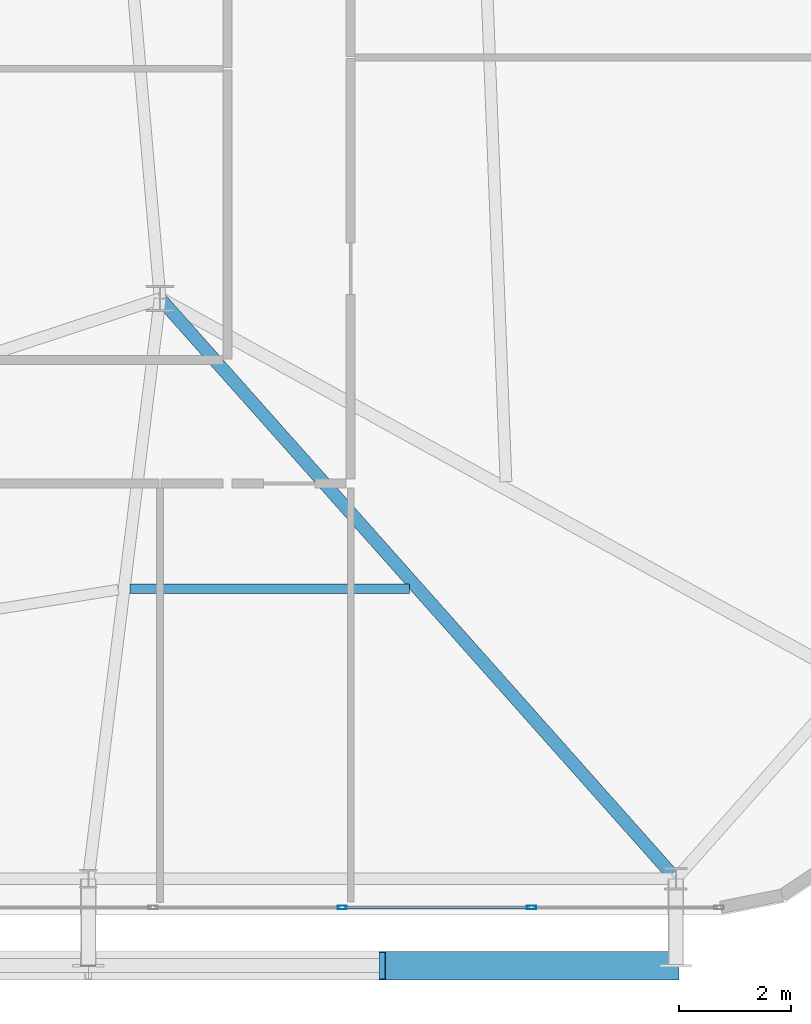
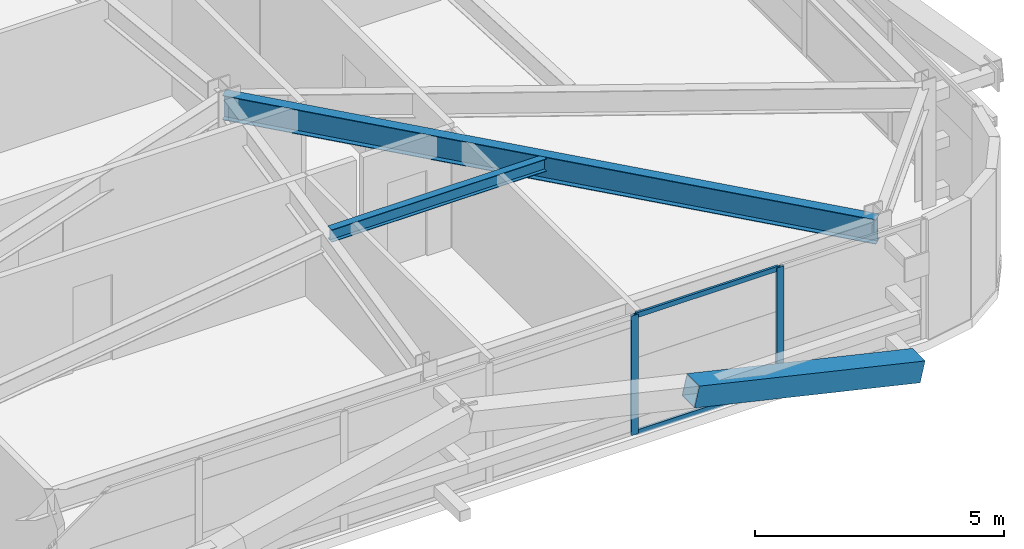
# One storey, part 23 of 59: 5 members, 2 beams, 1 element without a shape of its own.
"""IFC4 building model written with IfcOpenShell, lengths in metres."""

from ifc_helpers import new_model, si_unit, direction, frame, origin, origin_2d, place, context, subcontext, project, spatial, hollow_rectangle, i_section, extrude, source, transform, mapped, material, layer, layer_set, material_profile, profile_set, type_object, element, aggregate, save


model = new_model("IFC4")

# Units and contexts
model_context = context("Model", 3, precision=1e-05, world=origin(), true_north=direction((0.0, 1.0)))
body_context = subcontext(model_context, "Body", "Model", "MODEL_VIEW")
ifc_project = project(units=[si_unit("LENGTHUNIT", "METRE"), si_unit("AREAUNIT", "SQUARE_METRE"), si_unit("VOLUMEUNIT", "CUBIC_METRE"), si_unit("PLANEANGLEUNIT", "RADIAN"), si_unit("MASSUNIT", "GRAM", prefix="KILO")], contexts=[model_context])

# Site, building, storey
site_placement = place(None, origin())
site = spatial("IfcSite", under=ifc_project, at=site_placement, CompositionType="ELEMENT")
building_placement = place(site_placement, origin())
building = spatial("IfcBuilding", under=site, at=building_placement, Name="Taldren Reach Tower", CompositionType="ELEMENT")
storey_placement = place(building_placement, frame((0.0, 0.0, 45.14990234375)))
storey = spatial("IfcBuildingStorey", under=building, at=storey_placement, Name="L13", CompositionType="ELEMENT", Elevation=45.14990234375)

# Beams
ifc_material_1 = material(Name="Steel Gr 350 (350PLUS)", Category="steel")
ifc_material_profile_1 = material_profile(ifc_material_1, i_section(OverallWidth=0.22802734375, OverallDepth=0.60205078125, WebThickness=0.010498046875, FlangeThickness=0.014892578125, at=origin_2d()), Name="610UB101")
ifc_profile_set_1 = profile_set([ifc_material_profile_1], Name="Steel Gr 350 (350PLUS)")
beam_type_1 = type_object("IfcBeamType", Name="BM-UB610B", PredefinedType="BEAM", material=ifc_profile_set_1)
shared_shape_1 = source(origin(), body_context, "Body", "SweptSolid", [
    extrude(i_section(OverallWidth=0.22802734375, OverallDepth=0.60205078125, WebThickness=0.010498046875, FlangeThickness=0.014892578125, at=origin_2d()), origin(), (0.0, 0.0, 1.0), 13.847900390625),
])
beam_1_placement = place(storey_placement, frame((52.0, 12.5, 2.629150390625), z_axis=(0.664358367375, -0.747414182164, 0.0), x_axis=(0.747414182164, 0.664358367375, 0.0)))
element("IfcBeam", 1, at=beam_1_placement, inside=storey, type_object=beam_type_1, Name="Primary floor girder B1-S6 L13", PredefinedType="BEAM", context=body_context, shape_type="MappedRepresentation", body=[
    mapped(shared_shape_1, transform((0.0, 0.0, 0.0), scale=1.0)),
])
ifc_material_2 = material(Name="Steel Gr 300 (300PLUS, 300 MPa)", Category="steel")
ifc_material_profile_2 = material_profile(ifc_material_2, i_section(OverallWidth=0.166015625, OverallDepth=0.306884765625, WebThickness=0.006591796875, FlangeThickness=0.01171875, at=origin_2d()), Name="310UB46.2")
ifc_profile_set_2 = profile_set([ifc_material_profile_2], Name="Steel Gr 300 (300PLUS, 300 MPa)")
beam_type_2 = type_object("IfcBeamType", Name="JS-UB310", PredefinedType="JOIST", material=ifc_profile_set_2)
shared_shape_2 = source(origin(), body_context, "Body", "SweptSolid", [
    extrude(i_section(OverallWidth=0.166015625, OverallDepth=0.306884765625, WebThickness=0.006591796875, FlangeThickness=0.01171875, at=origin_2d()), origin(), (0.0, 0.0, 1.0), 4.982177734375),
])
beam_2_placement = place(storey_placement, frame((51.46533203125, 7.324951171875, 2.776611328125), z_axis=(1.0, 0.0, 0.0), x_axis=(0.0, 1.0, 0.0)))
element("IfcBeam", 2, at=beam_2_placement, inside=storey, type_object=beam_type_2, Name="Secondary floor joist B1 J5 L13", PredefinedType="JOIST", context=body_context, shape_type="MappedRepresentation", body=[
    mapped(shared_shape_2, transform((0.0, 0.0, 0.0), scale=1.0)),
])

# Member
ifc_material_3 = material(Name="Steel Gr 450 (C450L0)", Category="steel")
ifc_material_profile_3 = material_profile(ifc_material_3, hollow_rectangle(XDim=0.510009765625, YDim=0.510009765625, WallThickness=0.02001953125, at=origin_2d()), Name="510x510x20.0SHS")
ifc_profile_set_3 = profile_set([ifc_material_profile_3], Name="Steel Gr 450 (C450L0)")
member_type_1 = type_object("IfcMemberType", Name="MB-EXO508", PredefinedType="BRACE", material=ifc_profile_set_3)
shared_shape_3 = source(origin(), body_context, "Body", "SweptSolid", [
    extrude(hollow_rectangle(XDim=0.510009765625, YDim=0.510009765625, WallThickness=0.02001953125, at=origin_2d()), origin(), (0.0, 0.0, 1.0), 5.37890625),
])
member_1_placement = place(storey_placement, frame((61.199951171875, 0.60009765625, 0.22021484375), z_axis=(-0.974161966843, 0.0, 0.225850531007), x_axis=(0.0, -1.0, 0.0)))
element("IfcMember", 3, at=member_1_placement, inside=storey, type_object=member_type_1, Name="Exoskeleton Diagrid Brace B1-S5 L13", PredefinedType="BRACE", context=body_context, shape_type="MappedRepresentation", body=[
    mapped(shared_shape_3, transform((0.0, 0.0, 0.0), scale=1.0)),
])

# Curtain wall, members
ifc_material_4 = material(Name="Aluminium and Low-E Glass Unitised System", Category="aluminium")
ifc_layer = layer(ifc_material_4, 0.159912109375)
ifc_layer_set = layer_set([ifc_layer], Name="Aluminium and Low-E Glass Unitised System")
curtain_wall_type = type_object("IfcCurtainWallType", Name="CW-SYS-2", PredefinedType="NOTDEFINED", material=ifc_layer_set)
curtain_wall_placement = place(storey_placement, origin())
curtain_wall = element("IfcCurtainWall", 4, at=curtain_wall_placement, inside=storey, type_object=curtain_wall_type, Name="Unitised curtain wall CW-L13-S", PredefinedType="NOTDEFINED")
ifc_material_5 = material(Name="Anodised Aluminium 6063-T6", Category="aluminium")
ifc_material_profile_4 = material_profile(ifc_material_5, hollow_rectangle(XDim=0.054931640625, YDim=0.1201171875, WallThickness=0.0029296875, at=origin_2d()), Name="ALU-120x55x3RHS")
ifc_profile_set_4 = profile_set([ifc_material_profile_4], Name="Anodised Aluminium 6063-T6")
member_type_2 = type_object("IfcMemberType", Name="CW-TRN-135", PredefinedType="USERDEFINED", material=ifc_profile_set_4)
shared_shape_4 = source(origin(), body_context, "Body", "SweptSolid", [
    extrude(hollow_rectangle(XDim=0.054931640625, YDim=0.1201171875, WallThickness=0.0029296875, at=origin_2d()), origin(), (0.0, 0.0, 1.0), 3.31005859375),
])
member_2_placement = place(storey_placement, frame((55.282470703125, 1.639892578125, 0.027587890625), z_axis=(1.0, 0.0, 0.0), x_axis=(0.0, 1.0, 0.0)))
member_2 = element("IfcMember", 5, at=member_2_placement, type_object=member_type_2, Name="CW-2 transom 15.1", ObjectType="TRANSOM", PredefinedType="USERDEFINED", context=body_context, shape_type="MappedRepresentation", body=[
    mapped(shared_shape_4, transform((0.0, 0.0, 0.0), scale=1.0)),
])
member_3_placement = place(storey_placement, frame((55.282470703125, 1.639892578125, 2.902587890625), z_axis=(1.0, 0.0, 0.0), x_axis=(0.0, 1.0, 0.0)))
member_3 = element("IfcMember", 6, at=member_3_placement, type_object=member_type_2, Name="CW-2 transom 15.2", ObjectType="TRANSOM", PredefinedType="USERDEFINED", context=body_context, shape_type="MappedRepresentation", body=[
    mapped(shared_shape_4, transform((0.0, 0.0, 0.0), scale=1.0)),
])
ifc_material_profile_5 = material_profile(ifc_material_5, hollow_rectangle(XDim=0.06494140625, YDim=0.1650390625, WallThickness=0.00390625, at=origin_2d()), Name="ALU-165x65x4RHS")
ifc_profile_set_5 = profile_set([ifc_material_profile_5], Name="Anodised Aluminium 6063-T6")
member_type_3 = type_object("IfcMemberType", Name="CW-MUL-165", PredefinedType="MULLION", material=ifc_profile_set_5)
shared_shape_5 = source(origin(), body_context, "Body", "SweptSolid", [
    extrude(hollow_rectangle(XDim=0.06494140625, YDim=0.1650390625, WallThickness=0.00390625, at=origin_2d()), origin(), (0.0, 0.0, 1.0), 2.93017578125),
])
member_4_placement = place(storey_placement, frame((55.25, 1.639892578125, 0.0), z_axis=(0.0, 0.0, 1.0), x_axis=(0.0, 1.0, 0.0)))
member_4 = element("IfcMember", 7, at=member_4_placement, type_object=member_type_3, Name="CW-2 mullion 15", PredefinedType="MULLION", context=body_context, shape_type="MappedRepresentation", body=[
    mapped(shared_shape_5, transform((0.0, 0.0, 0.0), scale=1.0)),
])
member_5_placement = place(storey_placement, frame((58.625, 1.639892578125, 0.0), z_axis=(0.0, 0.0, 1.0), x_axis=(0.0, 1.0, 0.0)))
member_5 = element("IfcMember", 8, at=member_5_placement, type_object=member_type_3, Name="CW-2 mullion 16", PredefinedType="MULLION", context=body_context, shape_type="MappedRepresentation", body=[
    mapped(shared_shape_5, transform((0.0, 0.0, 0.0), scale=1.0)),
])
aggregate(curtain_wall, [member_4, member_5, member_2, member_3])

save(model, "model.ifc")
